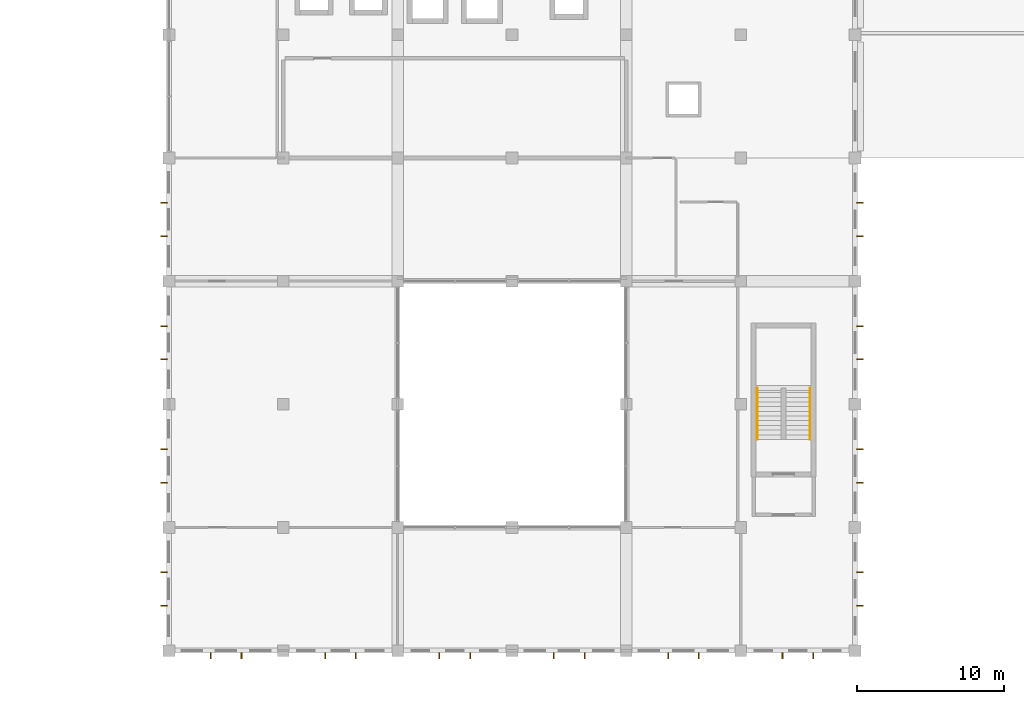
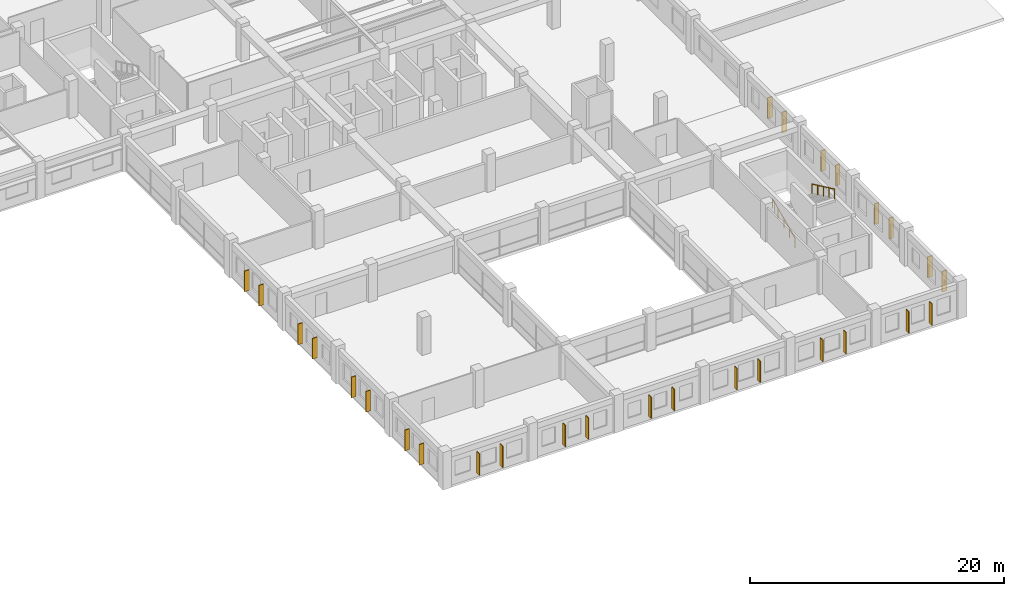
# One storey, part 49 of 50: 28 shading devices, 2 railings.
"""IFC4 building model written with IfcOpenShell, lengths in metres."""

from ifc_helpers import new_model, si_unit, direction, frame, origin, origin_2d, place, context, subcontext, project, spatial, rectangle, circle, extrude, material, layer, layer_set, type_object, element, save


model = new_model("IFC4")

# Units and contexts
model_context = context("Model", 3, precision=1e-05, world=origin(), true_north=direction((0.0, 1.0)))
body_context = subcontext(model_context, "Body", "Model", "MODEL_VIEW")
ifc_project = project(units=[si_unit("LENGTHUNIT", "METRE"), si_unit("AREAUNIT", "SQUARE_METRE"), si_unit("VOLUMEUNIT", "CUBIC_METRE"), si_unit("PLANEANGLEUNIT", "RADIAN"), si_unit("MASSUNIT", "GRAM", prefix="KILO"), si_unit("THERMODYNAMICTEMPERATUREUNIT", "KELVIN"), si_unit("POWERUNIT", "WATT")], contexts=[model_context])

# Site, building, storey
site_placement = place(None, origin())
site = spatial("IfcSite", under=ifc_project, at=site_placement, CompositionType="ELEMENT")
building_placement = place(site_placement, origin())
building = spatial("IfcBuilding", under=site, at=building_placement, Name="Srebrne Nadtorze General Hospital", CompositionType="ELEMENT")
storey_placement = place(building_placement, frame((0.0, 0.0, 14.39990234375)))
storey = spatial("IfcBuildingStorey", under=building, at=storey_placement, Name="L03", CompositionType="ELEMENT", Elevation=14.39990234375)

# Shading devices
ifc_material_1 = material(Name="Anodised Aluminium", Category="aluminium")
ifc_layer = layer(ifc_material_1, 0.070068359375)
ifc_layer_set = layer_set([ifc_layer], Name="Anodised Aluminium")
shading_device_type = type_object("IfcShadingDeviceType", Name="Koushi vertical brise-soleil fin", PredefinedType="SHUTTER", material=ifc_layer_set)
for number, where, z_axis, x_axis, name in (
    (1, (104.25, -0.35009765625, 0.380859375), (0.0, 0.0, 1.0), (1.0, 0.0, 0.0), "Clinic koushi vertical fin LV-196"),
    (2, (106.35009765625, -0.35009765625, 0.380859375), (0.0, 0.0, 1.0), (1.0, 0.0, 0.0), "Clinic koushi vertical fin LV-197"),
    (3, (112.050048828125, -0.35009765625, 0.380859375), (0.0, 0.0, 1.0), (1.0, 0.0, 0.0), "Clinic koushi vertical fin LV-198"),
    (4, (114.14990234375, -0.35009765625, 0.380859375), (0.0, 0.0, 1.0), (1.0, 0.0, 0.0), "Clinic koushi vertical fin LV-199"),
    (5, (119.85009765625, -0.35009765625, 0.380859375), (0.0, 0.0, 1.0), (1.0, 0.0, 0.0), "Clinic koushi vertical fin LV-200"),
    (6, (121.949951171875, -0.35009765625, 0.380859375), (0.0, 0.0, 1.0), (1.0, 0.0, 0.0), "Clinic koushi vertical fin LV-201"),
    (7, (127.64990234375, -0.35009765625, 0.380859375), (0.0, 0.0, 1.0), (1.0, 0.0, 0.0), "Clinic koushi vertical fin LV-202"),
    (8, (129.75, -0.35009765625, 0.380859375), (0.0, 0.0, 1.0), (1.0, 0.0, 0.0), "Clinic koushi vertical fin LV-203"),
    (9, (135.449951171875, -0.35009765625, 0.380859375), (0.0, 0.0, 1.0), (1.0, 0.0, 0.0), "Clinic koushi vertical fin LV-204"),
    (10, (137.550048828125, -0.35009765625, 0.380859375), (0.0, 0.0, 1.0), (1.0, 0.0, 0.0), "Clinic koushi vertical fin LV-205"),
    (11, (143.25, -0.35009765625, 0.380859375), (0.0, 0.0, 1.0), (1.0, 0.0, 0.0), "Clinic koushi vertical fin LV-206"),
    (12, (145.35009765625, -0.35009765625, 0.380859375), (0.0, 0.0, 1.0), (1.0, 0.0, 0.0), "Clinic koushi vertical fin LV-207"),
):
    element("IfcShadingDevice", number, at=place(storey_placement, frame(where, z_axis=z_axis, x_axis=x_axis)), inside=storey, type_object=shading_device_type, Name=name, PredefinedType="SHUTTER", context=body_context, shape_type="SweptSolid", body=[
        extrude(rectangle(XDim=0.070068359375, YDim=0.43994140625, at=origin_2d()), origin(), (0.0, 0.0, 1.0), 2.067138671875),
    ])
for number, where, z_axis, x_axis, name in (
    (13, (101.050048828125, 3.06005859375, 0.366943359375), (0.0, 0.0, 1.0), (1.0, 0.0, 0.0), "Clinic koushi vertical fin LV-228"),
    (14, (101.050048828125, 5.340087890625, 0.366943359375), (0.0, 0.0, 1.0), (1.0, 0.0, 0.0), "Clinic koushi vertical fin LV-229"),
    (15, (101.050048828125, 11.4599609375, 0.366943359375), (0.0, 0.0, 1.0), (1.0, 0.0, 0.0), "Clinic koushi vertical fin LV-230"),
    (16, (101.050048828125, 13.739990234375, 0.366943359375), (0.0, 0.0, 1.0), (1.0, 0.0, 0.0), "Clinic koushi vertical fin LV-231"),
    (17, (101.050048828125, 19.860107421875, 0.366943359375), (0.0, 0.0, 1.0), (1.0, 0.0, 0.0), "Clinic koushi vertical fin LV-232"),
    (18, (101.050048828125, 22.139892578125, 0.366943359375), (0.0, 0.0, 1.0), (1.0, 0.0, 0.0), "Clinic koushi vertical fin LV-233"),
    (19, (101.050048828125, 28.260009765625, 0.366943359375), (0.0, 0.0, 1.0), (1.0, 0.0, 0.0), "Clinic koushi vertical fin LV-234"),
    (20, (101.050048828125, 30.5400390625, 0.366943359375), (0.0, 0.0, 1.0), (1.0, 0.0, 0.0), "Clinic koushi vertical fin LV-235"),
    (21, (148.550048828125, 3.06005859375, 0.366943359375), (0.0, 0.0, 1.0), (1.0, 0.0, 0.0), "Clinic koushi vertical fin LV-236"),
    (22, (148.550048828125, 5.340087890625, 0.366943359375), (0.0, 0.0, 1.0), (1.0, 0.0, 0.0), "Clinic koushi vertical fin LV-237"),
    (23, (148.550048828125, 11.4599609375, 0.366943359375), (0.0, 0.0, 1.0), (1.0, 0.0, 0.0), "Clinic koushi vertical fin LV-238"),
    (24, (148.550048828125, 13.739990234375, 0.366943359375), (0.0, 0.0, 1.0), (1.0, 0.0, 0.0), "Clinic koushi vertical fin LV-239"),
    (25, (148.550048828125, 19.860107421875, 0.366943359375), (0.0, 0.0, 1.0), (1.0, 0.0, 0.0), "Clinic koushi vertical fin LV-240"),
    (26, (148.550048828125, 22.139892578125, 0.366943359375), (0.0, 0.0, 1.0), (1.0, 0.0, 0.0), "Clinic koushi vertical fin LV-241"),
    (27, (148.550048828125, 28.260009765625, 0.366943359375), (0.0, 0.0, 1.0), (1.0, 0.0, 0.0), "Clinic koushi vertical fin LV-242"),
    (28, (148.550048828125, 30.5400390625, 0.366943359375), (0.0, 0.0, 1.0), (1.0, 0.0, 0.0), "Clinic koushi vertical fin LV-243"),
):
    element("IfcShadingDevice", number, at=place(storey_placement, frame(where, z_axis=z_axis, x_axis=x_axis)), inside=storey, type_object=shading_device_type, Name=name, PredefinedType="SHUTTER", context=body_context, shape_type="SweptSolid", body=[
        extrude(rectangle(XDim=0.43994140625, YDim=0.070068359375, at=origin_2d()), origin(), (0.0, 0.0, 1.0), 1.9912109375),
    ])

# Railings
ifc_material_2 = material(Name="Stainless Steel 316", Category="steel")
railing_type = type_object("IfcRailingType", Name="Tubular stainless handrail 920", PredefinedType="HANDRAIL", material=ifc_material_2)
railing_1_placement = place(storey_placement, frame((141.530029296875, 14.39990234375, 0.150146484375)))
element("IfcRailing", 29, at=railing_1_placement, inside=storey, type_object=railing_type, Name="Stair flight handrail ST-08-L03 F1", PredefinedType="HANDRAIL", context=body_context, shape_type="SweptSolid", body=[
    extrude(circle(Radius=0.02392578125, at=origin_2d()), frame((0.0, 0.0, 0.89599609375), z_axis=(0.0, 0.905469494748, 0.424411350084), x_axis=(-1.0, 0.0, 0.0)), (0.0, 0.0, 1.0), 3.887451171875),
    extrude(circle(Radius=0.02099609375, at=origin_2d()), origin(), (0.0, 0.0, 1.0), 0.871826171875),
    extrude(circle(Radius=0.02099609375, at=origin_2d()), frame((0.0, 0.8798828125, 0.41259765625)), (0.0, 0.0, 1.0), 0.871826171875),
    extrude(circle(Radius=0.02099609375, at=origin_2d()), frame((0.0, 1.760009765625, 0.824951171875)), (0.0, 0.0, 1.0), 0.871826171875),
    extrude(circle(Radius=0.02099609375, at=origin_2d()), frame((0.0, 2.64013671875, 1.2373046875)), (0.0, 0.0, 1.0), 0.871826171875),
    extrude(circle(Radius=0.02099609375, at=origin_2d()), frame((0.0, 3.52001953125, 1.64990234375)), (0.0, 0.0, 1.0), 0.871826171875),
])
railing_2_placement = place(storey_placement, frame((145.1201171875, 17.919921875, 1.9501953125)))
element("IfcRailing", 30, at=railing_2_placement, inside=storey, type_object=railing_type, Name="Stair flight handrail ST-08-L03 F2", PredefinedType="HANDRAIL", context=body_context, shape_type="SweptSolid", body=[
    extrude(circle(Radius=0.02392578125, at=origin_2d()), frame((0.0, 0.0, 0.89599609375), z_axis=(0.0, -0.905469494748, 0.424411350084), x_axis=(1.0, 0.0, 0.0)), (0.0, 0.0, 1.0), 3.887451171875),
    extrude(circle(Radius=0.02099609375, at=origin_2d()), origin(), (0.0, 0.0, 1.0), 0.871826171875),
    extrude(circle(Radius=0.02099609375, at=origin_2d()), frame((0.0, -0.8798828125, 0.41259765625)), (0.0, 0.0, 1.0), 0.871826171875),
    extrude(circle(Radius=0.02099609375, at=origin_2d()), frame((0.0, -1.760009765625, 0.824951171875)), (0.0, 0.0, 1.0), 0.871826171875),
    extrude(circle(Radius=0.02099609375, at=origin_2d()), frame((0.0, -2.64013671875, 1.2373046875)), (0.0, 0.0, 1.0), 0.871826171875),
    extrude(circle(Radius=0.02099609375, at=origin_2d()), frame((0.0, -3.52001953125, 1.64990234375)), (0.0, 0.0, 1.0), 0.871826171875),
])

save(model, "model.ifc")
